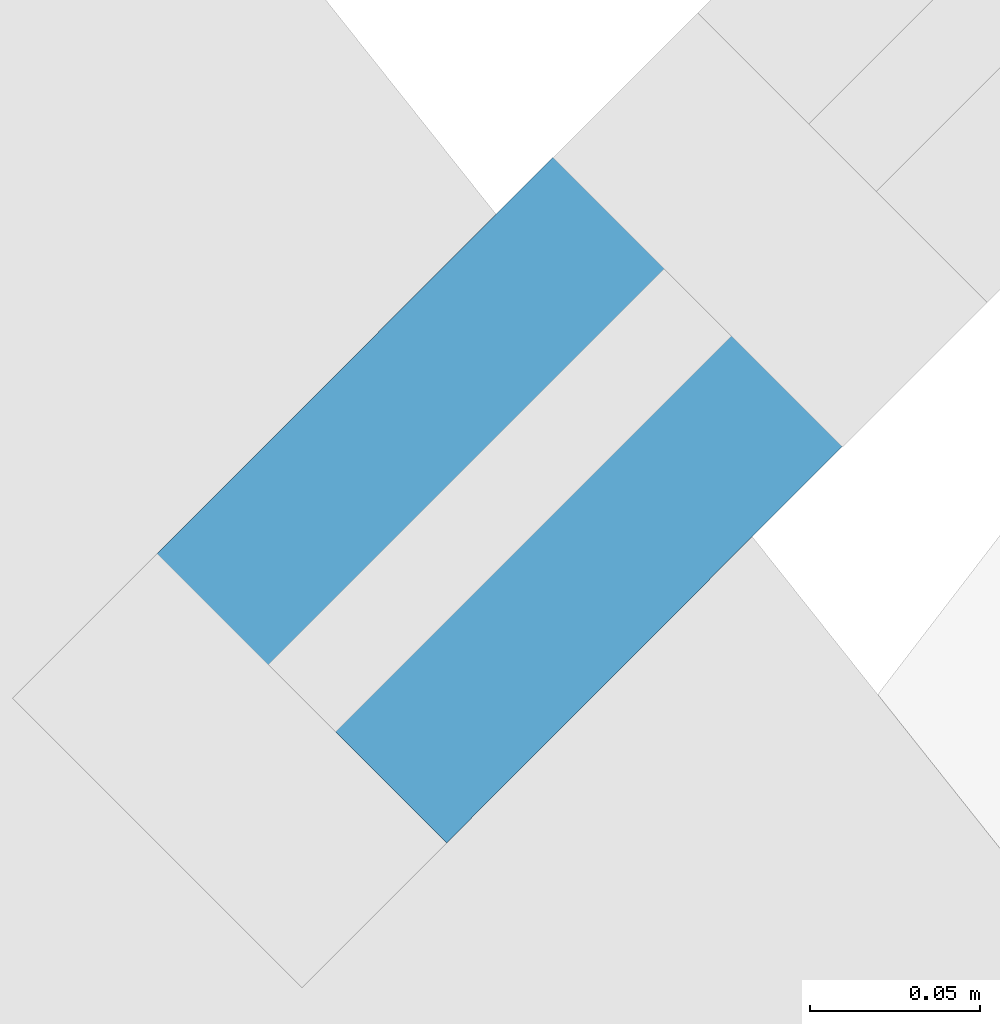
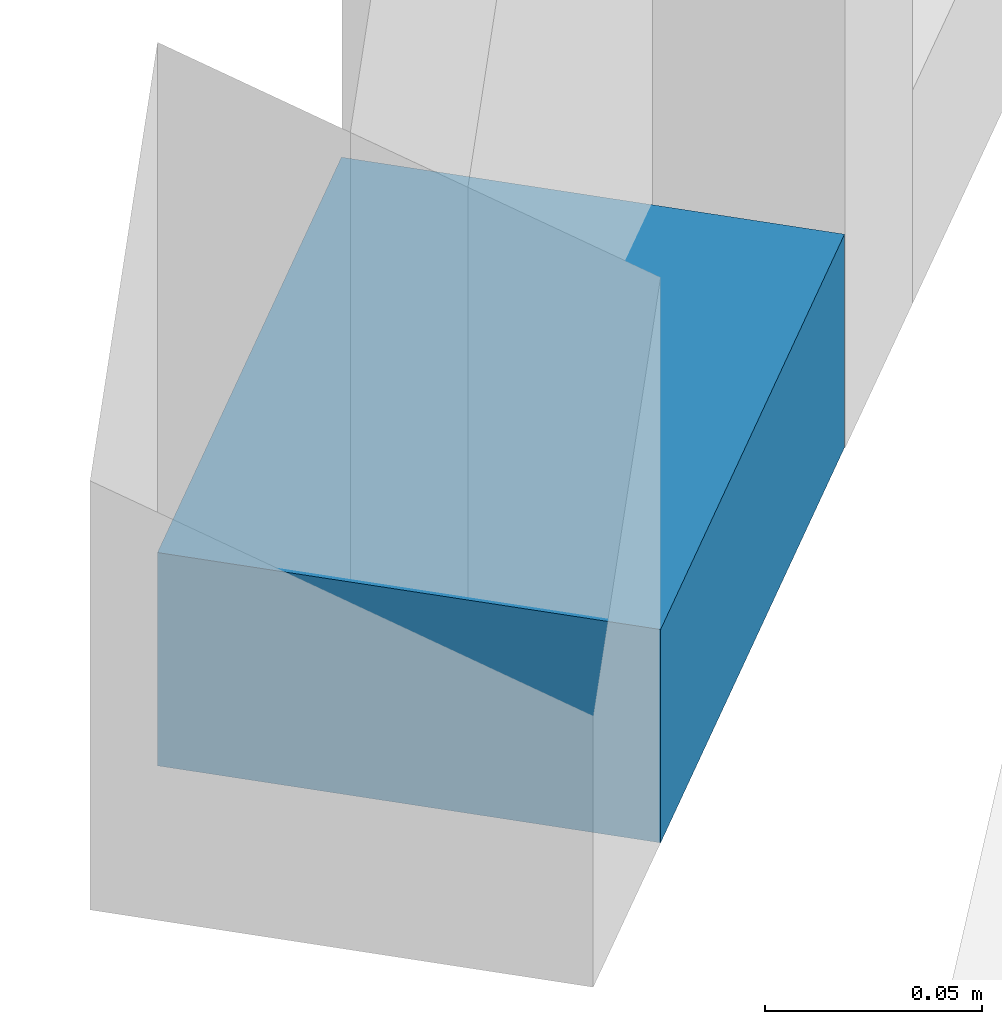
# One storey, part 16 of 33: 1 member, 1 element without a shape of its own.
"""IFC4 building model written with IfcOpenShell, lengths in metres."""

import ifcopenshell
import ifcopenshell.guid

model = None  # the IFC model being written
_history = None  # IfcOwnerHistory: only IFC2X3 demands one
_inside = {}  # id of a spatial element -> (the spatial element, [elements in it])
_under = {}  # id of a project, library or spatial element -> (it, [spatial elements below it])
_declared = {}  # id of a project -> (the project, [libraries it declares])
_typed = {}  # id of a type object -> (the type object, [elements of that type])
_made_of = {}  # id of a material, layer set ... -> (it, [elements and type objects made of it])


def new_model(schema):
    """Start an empty IFC model of exactly this schema.

    Asked for "IFC4X3", IfcOpenShell would pick the latest addendum, in which some entities
    have other attributes; the version numbers below select the first issue.
    IFC2X3 requires an IfcOwnerHistory on every rooted entity: one is made here for all.
    """
    global model, _history
    if schema == "IFC4X3":
        model = ifcopenshell.file(schema_version=(4, 3, 0, 0))
    else:
        model = ifcopenshell.file(schema=schema)
    _inside.clear()
    _under.clear()
    _declared.clear()
    _typed.clear()
    _made_of.clear()
    _history = None
    if model.schema == "IFC2X3":
        org = make("IfcOrganization", Name="unknown")
        user = make(
            "IfcPersonAndOrganization",
            ThePerson=make("IfcPerson", FamilyName="unknown"),
            TheOrganization=org,
        )
        app = make(
            "IfcApplication",
            ApplicationDeveloper=org,
            Version="unknown",
            ApplicationFullName="unknown",
            ApplicationIdentifier="unknown",
        )
        _history = make(
            "IfcOwnerHistory",
            OwningUser=user,
            OwningApplication=app,
            ChangeAction="ADDED",
            CreationDate=0,
        )
    return model


def make(cls, **values):
    """One entity of the class cls with the attributes given. An attribute that is None is left unset."""
    return model.create_entity(
        cls, **{name: value for name, value in values.items() if value is not None}
    )


def rooted(cls, **values):
    """An entity with a GlobalId (a new one), such as an element, a storey or a relation."""
    return make(cls, GlobalId=ifcopenshell.guid.new(), OwnerHistory=_history, **values)


def si_unit(unit_type, name, prefix=None):
    """IfcSIUnit, for example si_unit("LENGTHUNIT", "METRE", prefix="MILLI")."""
    return make("IfcSIUnit", UnitType=unit_type, Prefix=prefix, Name=name)


def assignment(units):
    """IfcUnitAssignment: the units of a project."""
    return None if units is None else make("IfcUnitAssignment", Units=units)


def point(xyz):
    """IfcCartesianPoint."""
    return None if xyz is None else make("IfcCartesianPoint", Coordinates=xyz)


def direction(xyz):
    """IfcDirection."""
    return None if xyz is None else make("IfcDirection", DirectionRatios=xyz)


def frame(location, z_axis=None, x_axis=None):
    """IfcAxis2Placement3D, a coordinate frame: its origin and axes. An axis left out is left unset."""
    return make(
        "IfcAxis2Placement3D",
        Location=point(location),
        Axis=direction(z_axis),
        RefDirection=direction(x_axis),
    )


def frame_2d(location, x_axis=None):
    """IfcAxis2Placement2D, a coordinate frame in the plane: its origin and x axis."""
    return make(
        "IfcAxis2Placement2D", Location=point(location), RefDirection=direction(x_axis)
    )


def origin():
    """The frame at (0, 0, 0) with its axes left unset."""
    return frame((0.0, 0.0, 0.0))


def origin_2d():
    """The frame at (0, 0) in the plane with its x axis left unset."""
    return frame_2d((0.0, 0.0))


def place(relative_to, where):
    """IfcLocalPlacement: puts the frame where relative to a parent placement (None: the world)."""
    return make(
        "IfcLocalPlacement", PlacementRelTo=relative_to, RelativePlacement=where
    )


def context(
    kind, dimensions, precision=None, world=None, true_north=None, identifier=None
):
    """IfcGeometricRepresentationContext, for example the 3D "Model" context."""
    return make(
        "IfcGeometricRepresentationContext",
        ContextIdentifier=identifier,
        ContextType=kind,
        CoordinateSpaceDimension=dimensions,
        Precision=precision,
        WorldCoordinateSystem=world,
        TrueNorth=true_north,
    )


def subcontext(parent, identifier, kind, view, scale=None):
    """IfcGeometricRepresentationSubContext, for example "Body" below "Model"."""
    return make(
        "IfcGeometricRepresentationSubContext",
        ContextIdentifier=identifier,
        ContextType=kind,
        ParentContext=parent,
        TargetScale=scale,
        TargetView=view,
    )


def project(units=None, contexts=None):
    """IfcProject with its units and contexts."""
    return rooted(
        "IfcProject",
        Name="project",
        RepresentationContexts=contexts,
        UnitsInContext=assignment(units),
    )


def spatial(cls, under=None, at=None, **own):
    """A site, building, storey or space (cls), placed at a placement, below another one or the project."""
    s = rooted(cls, ObjectPlacement=at, **own)
    if under is not None:
        _under.setdefault(under.id(), (under, []))[1].append(s)
    return s


def profile(cls, at=None, kind="AREA", **sizes):
    """A parametric profile (cls). Its sizes go by their IFC names, for example OverallWidth=200.0."""
    return make(cls, ProfileType=kind, Position=at, **sizes)


def rectangle(**sizes):
    """IfcRectangleProfileDef."""
    return profile("IfcRectangleProfileDef", **sizes)


def extrude(swept, where, along, depth):
    """IfcExtrudedAreaSolid: the profile swept, set in the frame where, extruded along a direction by depth."""
    return make(
        "IfcExtrudedAreaSolid",
        SweptArea=swept,
        Position=where,
        ExtrudedDirection=direction(along),
        Depth=depth,
    )


def shape(context_of_items, identifier, shape_type, items):
    """IfcShapeRepresentation: the items that make up one representation, for example the "Body"."""
    return make(
        "IfcShapeRepresentation",
        ContextOfItems=context_of_items,
        RepresentationIdentifier=identifier,
        RepresentationType=shape_type,
        Items=items,
    )


def material(Name=None, Category=None):
    """IfcMaterial."""
    return make("IfcMaterial", Name=Name, Category=Category)


def layer(
    of_material, thickness, ventilated=None, Name=None, Category=None, Priority=None
):
    """IfcMaterialLayer: one layer of a wall or slab, of a material (None: an air gap)."""
    return make(
        "IfcMaterialLayer",
        Material=of_material,
        LayerThickness=thickness,
        IsVentilated=ventilated,
        Name=Name,
        Category=Category,
        Priority=Priority,
    )


def layer_set(layers, Name=None):
    """IfcMaterialLayerSet."""
    return make("IfcMaterialLayerSet", MaterialLayers=layers, LayerSetName=Name)


def material_profile(
    of_material, cross_section, Name=None, Category=None, Priority=None
):
    """IfcMaterialProfile: a cross section and its material."""
    return make(
        "IfcMaterialProfile",
        Name=Name,
        Material=of_material,
        Profile=cross_section,
        Priority=Priority,
        Category=Category,
    )


def profile_set(profiles, Name=None, composite=None):
    """IfcMaterialProfileSet."""
    return make(
        "IfcMaterialProfileSet",
        Name=Name,
        MaterialProfiles=profiles,
        CompositeProfile=composite,
    )


def made_of(thing, what):
    """Note that an element or type object is made of a material, layer set ...; save() writes the relation."""
    if what is not None:
        _made_of.setdefault(what.id(), (what, []))[1].append(thing)
    return thing


def type_object(cls, material=None, **own):
    """A type object (cls), such as IfcWallType, which elements share."""
    return made_of(rooted(cls, **own), material)


def element(
    cls,
    number,
    at=None,
    inside=None,
    cuts=None,
    type_object=None,
    material=None,
    context=None,
    identifier="Body",
    shape_type=None,
    held_by="IfcProductDefinitionShape",
    body=None,
    shapes=None,
    **own,
):
    """One element of the class cls, such as IfcWall. Its Tag is "e" and its number.

    at: its placement. inside: the storey or other place that contains it. cuts: it is an
    opening in that element (IfcRelVoidsElement). A single representation is given by context,
    identifier, shape_type and body (its items); several are given by shapes. held_by: the class
    of the entity that holds the representations. save() writes the other relations.
    """
    e = rooted(cls, Tag="e%d" % number, ObjectPlacement=at, **own)
    if body is not None:
        shapes = [shape(context, identifier, shape_type, body)]
    if shapes is not None:
        e.Representation = make(held_by, Representations=shapes)
    if inside is not None:
        _inside.setdefault(inside.id(), (inside, []))[1].append(e)
    if cuts is not None:
        rooted(
            "IfcRelVoidsElement", RelatingBuildingElement=cuts, RelatedOpeningElement=e
        )
    if type_object is not None:
        _typed.setdefault(type_object.id(), (type_object, []))[1].append(e)
    return made_of(e, material)


def aggregate(whole, parts):
    """IfcRelAggregates: a whole, such as a stair, and the parts it consists of."""
    return rooted("IfcRelAggregates", RelatingObject=whole, RelatedObjects=parts)


def save(model, path):
    """Write the relations noted so far, then the file.

    IfcRelAggregates (storeys below a building ...), IfcRelContainedInSpatialStructure (elements
    in a storey), IfcRelDefinesByType, IfcRelAssociatesMaterial and IfcRelDeclares: one each for
    every whole, place, type object, material and project.
    """
    for whole, parts in _under.values():
        aggregate(whole, parts)
    for where, things in _inside.values():
        rooted(
            "IfcRelContainedInSpatialStructure",
            RelatedElements=things,
            RelatingStructure=where,
        )
    for kind, things in _typed.values():
        rooted("IfcRelDefinesByType", RelatedObjects=things, RelatingType=kind)
    for what, things in _made_of.values():
        rooted("IfcRelAssociatesMaterial", RelatedObjects=things, RelatingMaterial=what)
    for by, libraries in _declared.values():
        rooted("IfcRelDeclares", RelatingContext=by, RelatedDefinitions=libraries)
    model.write(path)


model = new_model("IFC4")

# Units and contexts
model_context = context("Model", 3, precision=1e-05, world=origin(), true_north=direction((0.0, 1.0)))
body_context = subcontext(model_context, "Body", "Model", "MODEL_VIEW")
ifc_project = project(units=[si_unit("LENGTHUNIT", "METRE"), si_unit("AREAUNIT", "SQUARE_METRE"), si_unit("VOLUMEUNIT", "CUBIC_METRE"), si_unit("PLANEANGLEUNIT", "RADIAN"), si_unit("MASSUNIT", "GRAM", prefix="KILO")], contexts=[model_context])

# Site, building, storey
site_placement = place(None, origin())
site = spatial("IfcSite", under=ifc_project, at=site_placement, CompositionType="ELEMENT")
building_placement = place(site_placement, origin())
building = spatial("IfcBuilding", under=site, at=building_placement, Name="Marenta Gate Hotel Tower", CompositionType="ELEMENT")
storey_placement = place(building_placement, frame((0.0, 0.0, 137.300048828125)))
storey = spatial("IfcBuildingStorey", under=building, at=storey_placement, Name="L31", CompositionType="ELEMENT", Elevation=137.300048828125)

# Curtain wall, member
ifc_material_1 = material(Name="Tinted insulated glass in bronze anodised frame", Category="glass")
ifc_layer = layer(ifc_material_1, 0.1201171875)
ifc_layer_set = layer_set([ifc_layer], Name="Tinted insulated glass in bronze anodised frame")
curtain_wall_type = type_object("IfcCurtainWallType", Name="Tower unitised curtain wall CW1", PredefinedType="NOTDEFINED", material=ifc_layer_set)
curtain_wall_placement = place(storey_placement, origin())
curtain_wall = element("IfcCurtainWall", 1, at=curtain_wall_placement, inside=storey, type_object=curtain_wall_type, Name="CW1 run G02", PredefinedType="NOTDEFINED")
ifc_material_2 = material(Name="Bronze anodised aluminium", Category="aluminium")
ifc_material_profile = material_profile(ifc_material_2, rectangle(XDim=0.1201171875, YDim=0.06005859375, at=origin_2d()), Name="Transom CW1 60x120 bronze anodised aluminium")
ifc_profile_set = profile_set([ifc_material_profile], Name="Bronze anodised aluminium")
member_type = type_object("IfcMemberType", Name="Transom CW1 60x120 bronze anodised aluminium", PredefinedType="USERDEFINED", material=ifc_profile_set)
member_placement = place(storey_placement, frame((-26.013671875, 25.977294921875, 0.030029296875), z_axis=(-0.706364412476, -0.707848371325, 0.0), x_axis=(0.707848371325, -0.706364412476, 0.0)))
member = element("IfcMember", 2, at=member_placement, type_object=member_type, Name="CW1 transom 1.1", ObjectType="TRANSOM", PredefinedType="USERDEFINED", context=body_context, shape_type="SweptSolid", body=[
    extrude(rectangle(XDim=0.1201171875, YDim=0.06005859375, at=origin_2d()), origin(), (0.0, 0.0, 1.0), 0.16455078125),
])
aggregate(curtain_wall, [member])

save(model, "model.ifc")
